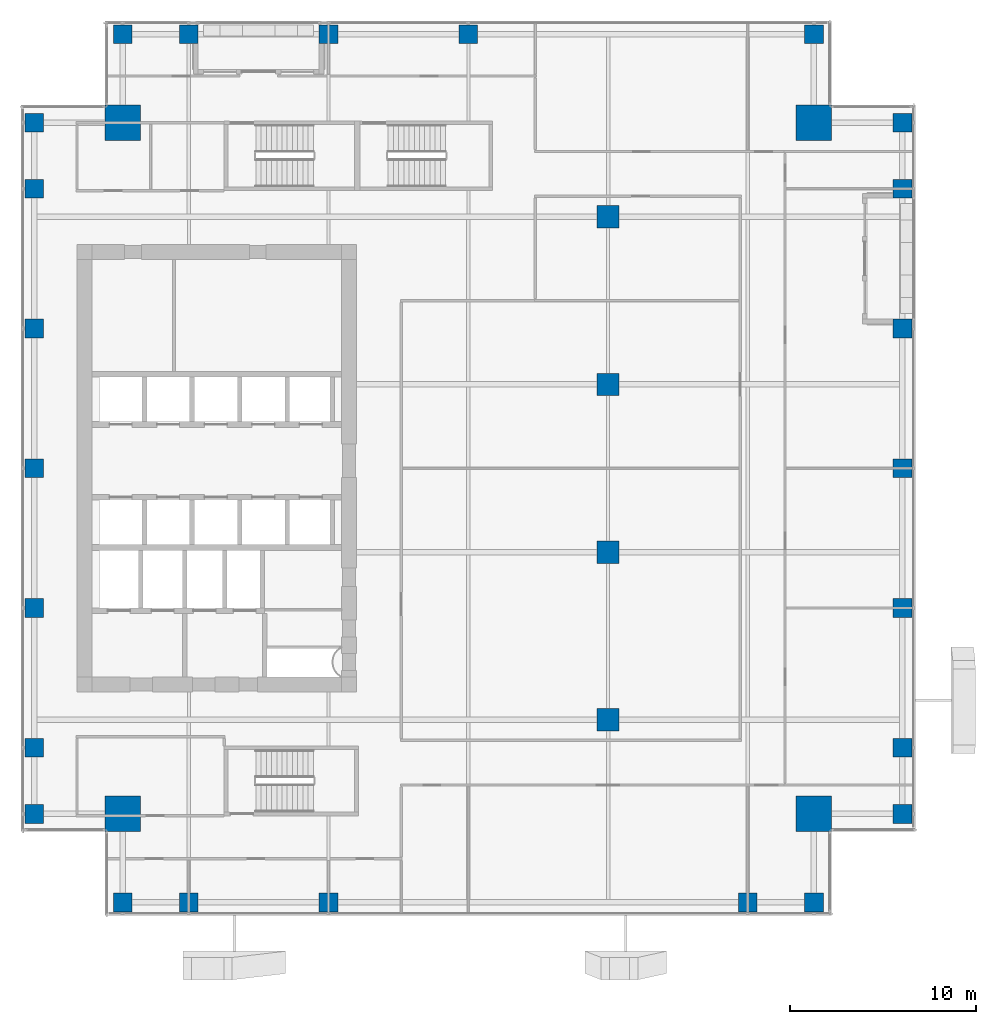
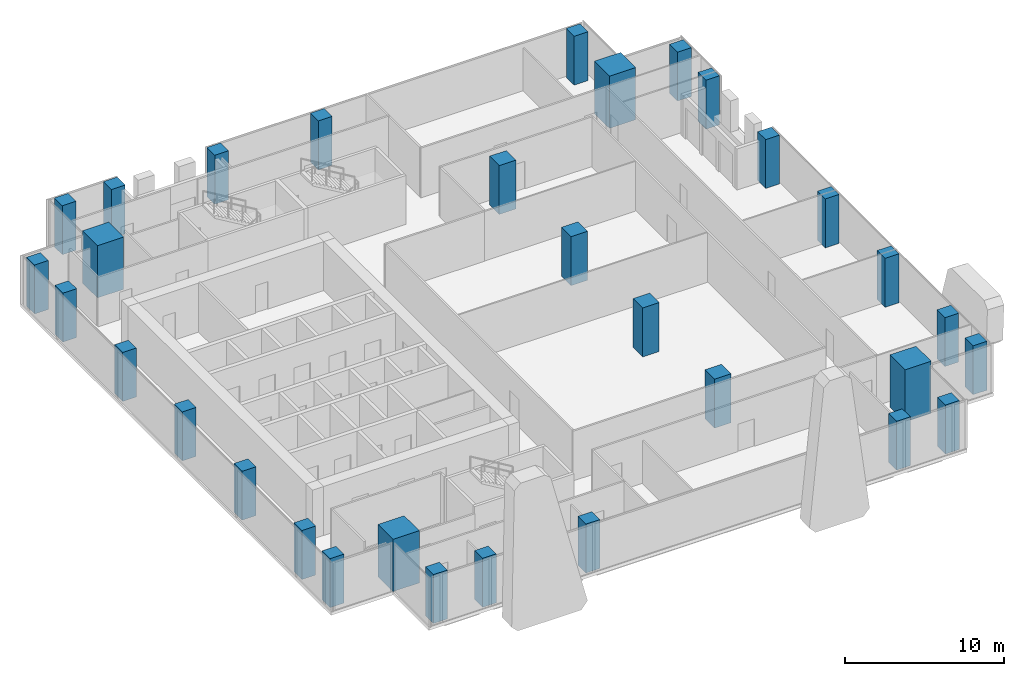
# One storey, part 1 of 38: 32 columns.
"""IFC4 building model written with IfcOpenShell, lengths in metres."""

from ifc_helpers import new_model, si_unit, direction, frame, origin, origin_2d, place, context, subcontext, project, spatial, rectangle, extrude, source, transform, mapped, material, material_profile, profile_set, type_object, element, save


model = new_model("IFC4")

# Units and contexts
model_context = context("Model", 3, precision=1e-05, world=origin(), true_north=direction((0.0, 1.0)))
body_context = subcontext(model_context, "Body", "Model", "MODEL_VIEW")
ifc_project = project(units=[si_unit("LENGTHUNIT", "METRE"), si_unit("AREAUNIT", "SQUARE_METRE"), si_unit("VOLUMEUNIT", "CUBIC_METRE"), si_unit("PLANEANGLEUNIT", "RADIAN"), si_unit("MASSUNIT", "GRAM", prefix="KILO")], contexts=[model_context])

# Site, building, storey
site_placement = place(None, origin())
site = spatial("IfcSite", under=ifc_project, at=site_placement, CompositionType="ELEMENT")
building_placement = place(site_placement, origin())
building = spatial("IfcBuilding", under=site, at=building_placement, Name="Khomas Fold Tower", CompositionType="ELEMENT")
storey_placement = place(building_placement, frame((0.0, 0.0, 196.699951171875)))
storey = spatial("IfcBuildingStorey", under=building, at=storey_placement, Name="L43", CompositionType="ELEMENT", Elevation=196.699951171875)

# Columns
ifc_material_1 = material(Name="Concrete C60/75", Category="concrete")
ifc_material_profile_1 = material_profile(ifc_material_1, rectangle(XDim=1.89990234375, YDim=1.89990234375, at=origin_2d()), Name="RC 1900x1900")
ifc_profile_set_1 = profile_set([ifc_material_profile_1], Name="Concrete C60/75")
column_type_1 = type_object("IfcColumnType", Name="RC 1900x1900 column", PredefinedType="COLUMN", material=ifc_profile_set_1)
shared_shape_1 = source(origin(), body_context, "Body", "SweptSolid", [
    extrude(rectangle(XDim=1.89990234375, YDim=1.89990234375, at=origin_2d()), origin(), (0.0, 0.0, 1.0), 4.0),
])
for number, where, z_axis, x_axis, name in (
    (1, (45.550048828125, 45.550048828125, 0.0), (0.0, 0.0, 1.0), (1.0, 0.0, 0.0), "CM-NE"),
    (2, (8.449951171875, 45.550048828125, 0.0), (0.0, 0.0, 1.0), (1.0, 0.0, 0.0), "CM-NW"),
    (3, (45.550048828125, 8.449951171875, 0.0), (0.0, 0.0, 1.0), (1.0, 0.0, 0.0), "CM-SE"),
    (4, (8.449951171875, 8.449951171875, 0.0), (0.0, 0.0, 1.0), (1.0, 0.0, 0.0), "CM-SW"),
):
    element("IfcColumn", number, at=place(storey_placement, frame(where, z_axis=z_axis, x_axis=x_axis)), inside=storey, type_object=column_type_1, Name=name, PredefinedType="COLUMN", context=body_context, shape_type="MappedRepresentation", body=[
        mapped(shared_shape_1, transform((0.0, 0.0, 0.0))),
    ])
ifc_material_2 = material(Name="Concrete C50/60", Category="concrete")
ifc_material_profile_2 = material_profile(ifc_material_2, rectangle(XDim=1.0, YDim=1.0, at=origin_2d()), Name="RC 1000x1000")
ifc_profile_set_2 = profile_set([ifc_material_profile_2], Name="Concrete C50/60")
column_type_2 = type_object("IfcColumnType", Name="RC 1000x1000 column", PredefinedType="COLUMN", material=ifc_profile_set_2)
shared_shape_2 = source(origin(), body_context, "Body", "SweptSolid", [
    extrude(rectangle(XDim=1.0, YDim=1.0, at=origin_2d()), origin(), (0.0, 0.0, 1.0), 3.75),
])
for number, where, z_axis, x_axis, name in (
    (5, (8.449951171875, 3.699951171875, 0.0), (0.0, 0.0, 1.0), (1.0, 0.0, 0.0), "C-4-SF3"),
    (6, (12.0, 3.699951171875, 0.0), (0.0, 0.0, 1.0), (1.0, 0.0, 0.0), "C-6-SF3"),
    (7, (19.5, 3.699951171875, 0.0), (0.0, 0.0, 1.0), (1.0, 0.0, 0.0), "C-8-SF3"),
    (8, (42.0, 3.699951171875, 0.0), (0.0, 0.0, 1.0), (1.0, 0.0, 0.0), "C-13-SF3"),
    (9, (45.550048828125, 3.699951171875, 0.0), (0.0, 0.0, 1.0), (1.0, 0.0, 0.0), "C-15-SF3"),
    (10, (50.300048828125, 8.449951171875, 0.0), (0.0, 0.0, 1.0), (1.0, 0.0, 0.0), "C-E3-D"),
    (11, (50.300048828125, 12.0, 0.0), (0.0, 0.0, 1.0), (1.0, 0.0, 0.0), "C-E3-F"),
    (12, (50.300048828125, 19.5, 0.0), (0.0, 0.0, 1.0), (1.0, 0.0, 0.0), "C-E3-J"),
    (13, (50.300048828125, 27.0, 0.0), (0.0, 0.0, 1.0), (1.0, 0.0, 0.0), "C-E3-L"),
    (14, (50.300048828125, 34.5, 0.0), (0.0, 0.0, 1.0), (1.0, 0.0, 0.0), "C-E3-N"),
    (15, (50.300048828125, 42.0, 0.0), (0.0, 0.0, 1.0), (1.0, 0.0, 0.0), "C-E3-R"),
    (16, (50.300048828125, 45.550048828125, 0.0), (0.0, 0.0, 1.0), (1.0, 0.0, 0.0), "C-E3-T"),
    (17, (8.449951171875, 50.300048828125, 0.0), (0.0, 0.0, 1.0), (1.0, 0.0, 0.0), "C-4-NF3"),
    (18, (12.0, 50.300048828125, 0.0), (0.0, 0.0, 1.0), (1.0, 0.0, 0.0), "C-6-NF3"),
    (19, (19.5, 50.300048828125, 0.0), (0.0, 0.0, 1.0), (1.0, 0.0, 0.0), "C-8-NF3"),
    (20, (27.0, 50.300048828125, 0.0), (0.0, 0.0, 1.0), (1.0, 0.0, 0.0), "C-9-NF3"),
    (21, (45.550048828125, 50.300048828125, 0.0), (0.0, 0.0, 1.0), (1.0, 0.0, 0.0), "C-15-NF3"),
    (22, (3.699951171875, 8.449951171875, 0.0), (0.0, 0.0, 1.0), (1.0, 0.0, 0.0), "C-W3-D"),
    (23, (3.699951171875, 12.0, 0.0), (0.0, 0.0, 1.0), (1.0, 0.0, 0.0), "C-W3-F"),
    (24, (3.699951171875, 19.5, 0.0), (0.0, 0.0, 1.0), (1.0, 0.0, 0.0), "C-W3-J"),
    (25, (3.699951171875, 27.0, 0.0), (0.0, 0.0, 1.0), (1.0, 0.0, 0.0), "C-W3-L"),
    (26, (3.699951171875, 34.5, 0.0), (0.0, 0.0, 1.0), (1.0, 0.0, 0.0), "C-W3-N"),
    (27, (3.699951171875, 42.0, 0.0), (0.0, 0.0, 1.0), (1.0, 0.0, 0.0), "C-W3-R"),
    (28, (3.699951171875, 45.550048828125, 0.0), (0.0, 0.0, 1.0), (1.0, 0.0, 0.0), "C-W3-T"),
):
    element("IfcColumn", number, at=place(storey_placement, frame(where, z_axis=z_axis, x_axis=x_axis)), inside=storey, type_object=column_type_2, Name=name, PredefinedType="COLUMN", context=body_context, shape_type="MappedRepresentation", body=[
        mapped(shared_shape_2, transform((0.0, 0.0, 0.0))),
    ])
ifc_material_3 = material(Name="Concrete C60/75", Category="concrete")
ifc_material_profile_3 = material_profile(ifc_material_3, rectangle(XDim=1.199951171875, YDim=1.199951171875, at=origin_2d()), Name="RC 1200x1200")
ifc_profile_set_3 = profile_set([ifc_material_profile_3], Name="Concrete C60/75")
column_type_3 = type_object("IfcColumnType", Name="RC 1200x1200 column", PredefinedType="COLUMN", material=ifc_profile_set_3)
shared_shape_3 = source(origin(), body_context, "Body", "SweptSolid", [
    extrude(rectangle(XDim=1.199951171875, YDim=1.199951171875, at=origin_2d()), origin(), (0.0, 0.0, 1.0), 3.75),
])
for number, where, z_axis, x_axis, name in (
    (29, (34.5, 13.5, 0.0), (0.0, 0.0, 1.0), (1.0, 0.0, 0.0), "C-10-H"),
    (30, (34.5, 22.5, 0.0), (0.0, 0.0, 1.0), (1.0, 0.0, 0.0), "C-10-K"),
    (31, (34.5, 31.5, 0.0), (0.0, 0.0, 1.0), (1.0, 0.0, 0.0), "C-10-M"),
    (32, (34.5, 40.5, 0.0), (0.0, 0.0, 1.0), (1.0, 0.0, 0.0), "C-10-P"),
):
    element("IfcColumn", number, at=place(storey_placement, frame(where, z_axis=z_axis, x_axis=x_axis)), inside=storey, type_object=column_type_3, Name=name, PredefinedType="COLUMN", context=body_context, shape_type="MappedRepresentation", body=[
        mapped(shared_shape_3, transform((0.0, 0.0, 0.0))),
    ])

save(model, "model.ifc")
